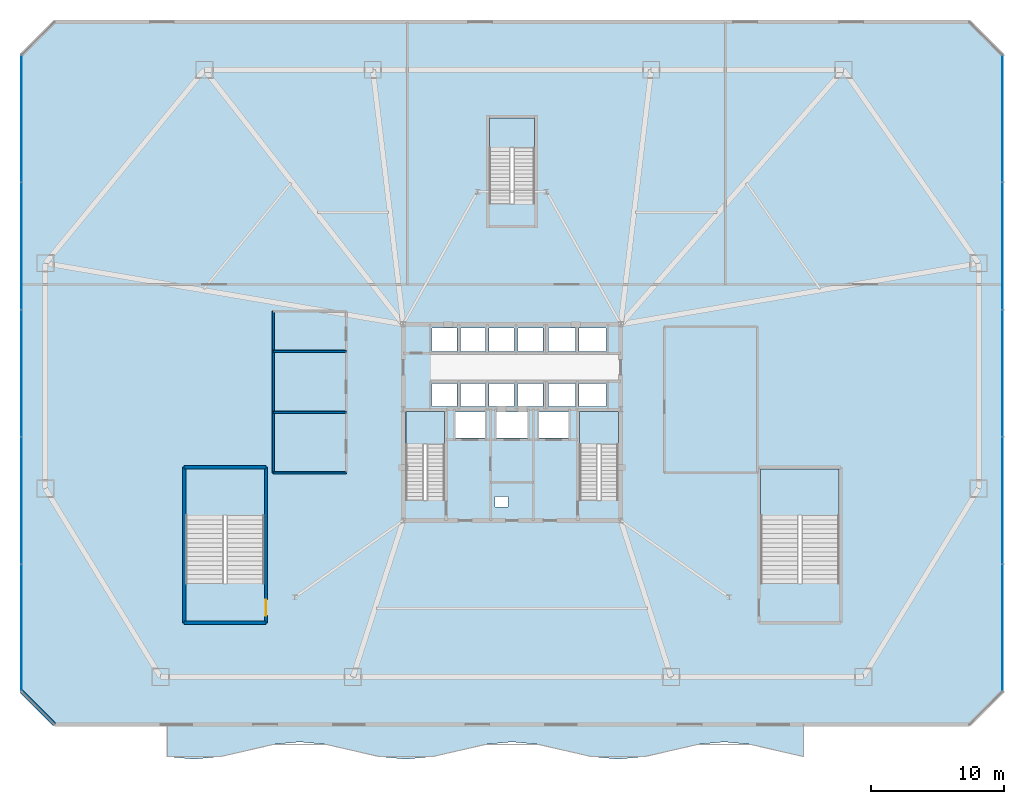
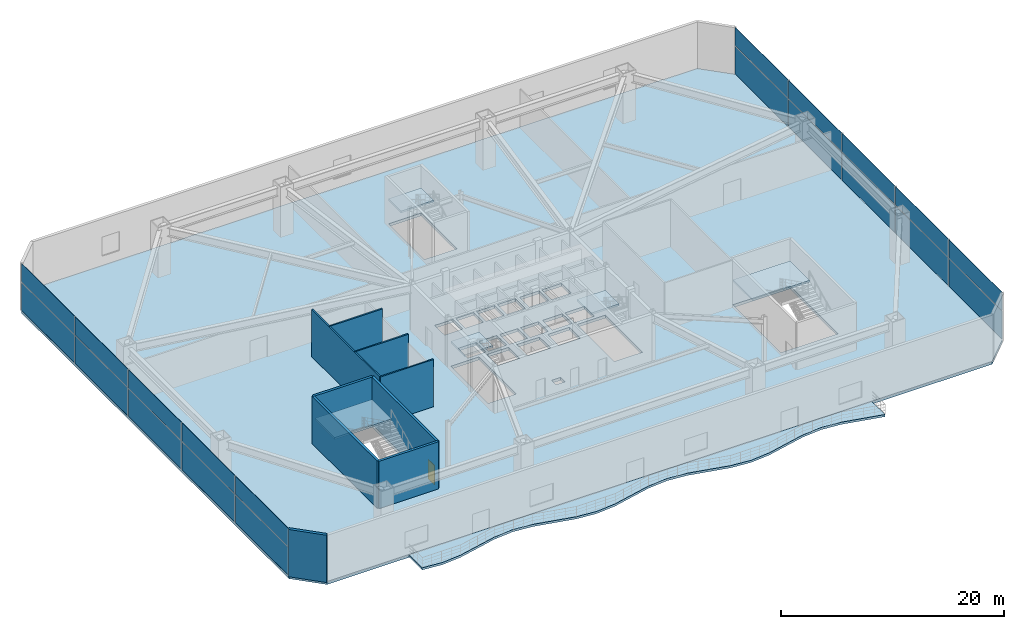
# One storey, part 12 of 20: 20 plates, 9 walls, 7 slabs, 1 door, 1 opening, 7 elements without a shape of their own.
"""IFC4 building model written with IfcOpenShell, lengths in metres."""

from ifc_helpers import new_model, si_unit, direction, frame, frame_2d, origin, origin_2d, place, context, subcontext, project, spatial, polyline, rectangle, outline, extrude, source, transform, mapped, material, layer, layer_set, type_object, type_shapes, element, fill, aggregate, save


model = new_model("IFC4")

# Units and contexts
model_context = context("Model", 3, precision=1e-05, world=origin(), true_north=direction((0.0, 1.0)))
body_context = subcontext(model_context, "Body", "Model", "MODEL_VIEW")
ifc_project = project(units=[si_unit("LENGTHUNIT", "METRE"), si_unit("AREAUNIT", "SQUARE_METRE"), si_unit("VOLUMEUNIT", "CUBIC_METRE"), si_unit("PLANEANGLEUNIT", "RADIAN"), si_unit("MASSUNIT", "GRAM", prefix="KILO")], contexts=[model_context])

# Site, building, storey
site_placement = place(None, origin())
site = spatial("IfcSite", under=ifc_project, at=site_placement, CompositionType="ELEMENT")
building_placement = place(site_placement, origin())
building = spatial("IfcBuilding", under=site, at=building_placement, Name="Varakhsha Concourse Tower", CompositionType="ELEMENT")
storey_placement = place(building_placement, frame((0.0, 0.0, 16.5)))
storey = spatial("IfcBuildingStorey", under=building, at=storey_placement, Name="L04", CompositionType="ELEMENT", Elevation=16.5)

# Slab
ifc_material_1 = material(Name="Concrete fc 45 MPa", Category="concrete")
ifc_layer_1 = layer(ifc_material_1, 0.320068359375, Name="SL-FLR-320")
ifc_layer_set_1 = layer_set([ifc_layer_1], Name="Concrete fc 45 MPa")
slab_type_1 = type_object("IfcSlabType", Name="SL-FLR-320", PredefinedType="FLOOR", material=ifc_layer_set_1)
slab_1_placement = place(storey_placement, frame((0.0, 0.0, -0.320068359375)))
element("IfcSlab", 1, at=slab_1_placement, inside=storey, type_object=slab_type_1, Name="L04 Composite Structural Slab", PredefinedType="FLOOR", context=body_context, shape_type="SweptSolid", body=[
    extrude(outline(polyline([(5.5, 1.0), (74.5, 1.0), (77.0, 3.5), (77.0, 51.5), (74.5, 54.0), (5.5, 54.0), (3.0, 51.5), (3.0, 3.5), (5.5, 1.0)]), holes=[polyline([(34.919921875, 17.93994140625), (34.919921875, 24.6298828125), (32.0, 24.6298828125), (32.0, 17.93994140625), (34.919921875, 17.93994140625)]), polyline([(48.02001953125, 17.93994140625), (48.02001953125, 24.6298828125), (45.10009765625, 24.6298828125), (45.10009765625, 17.93994140625), (48.02001953125, 17.93994140625)]), polyline([(21.320068359375, 11.659912109375), (21.320068359375, 20.300048828125), (15.39990234375, 20.300048828125), (15.39990234375, 11.659912109375), (21.320068359375, 11.659912109375)]), polyline([(64.679931640625, 11.659912109375), (64.679931640625, 20.300048828125), (58.760009765625, 20.300048828125), (58.760009765625, 11.659912109375), (64.679931640625, 11.659912109375)]), polyline([(41.699951171875, 40.300048828125), (41.699951171875, 46.75), (38.300048828125, 46.75), (38.300048828125, 40.300048828125), (41.699951171875, 40.300048828125)]), polyline([(33.9599609375, 29.159912109375), (35.840087890625, 29.159912109375), (35.840087890625, 30.89990234375), (33.9599609375, 30.89990234375), (33.9599609375, 29.159912109375)]), polyline([(36.1201171875, 29.159912109375), (38.0, 29.159912109375), (38.0, 30.89990234375), (36.1201171875, 30.89990234375), (36.1201171875, 29.159912109375)]), polyline([(38.280029296875, 29.159912109375), (40.159912109375, 29.159912109375), (40.159912109375, 30.89990234375), (38.280029296875, 30.89990234375), (38.280029296875, 29.159912109375)]), polyline([(40.43994140625, 29.159912109375), (42.320068359375, 29.159912109375), (42.320068359375, 30.89990234375), (40.43994140625, 30.89990234375), (40.43994140625, 29.159912109375)]), polyline([(33.9599609375, 25.0), (35.840087890625, 25.0), (35.840087890625, 26.739990234375), (33.9599609375, 26.739990234375), (33.9599609375, 25.0)]), polyline([(36.1201171875, 25.0), (38.0, 25.0), (38.0, 26.739990234375), (36.1201171875, 26.739990234375), (36.1201171875, 25.0)]), polyline([(38.280029296875, 25.0), (40.159912109375, 25.0), (40.159912109375, 26.739990234375), (38.280029296875, 26.739990234375), (38.280029296875, 25.0)]), polyline([(40.43994140625, 25.0), (42.320068359375, 25.0), (42.320068359375, 26.739990234375), (40.43994140625, 26.739990234375), (40.43994140625, 25.0)]), polyline([(42.739990234375, 29.159912109375), (44.780029296875, 29.159912109375), (44.780029296875, 30.89990234375), (42.739990234375, 30.89990234375), (42.739990234375, 29.159912109375)]), polyline([(45.06005859375, 29.159912109375), (47.10009765625, 29.159912109375), (47.10009765625, 30.89990234375), (45.06005859375, 30.89990234375), (45.06005859375, 29.159912109375)]), polyline([(42.739990234375, 25.0), (44.780029296875, 25.0), (44.780029296875, 26.739990234375), (42.739990234375, 26.739990234375), (42.739990234375, 25.0)]), polyline([(45.06005859375, 25.0), (47.10009765625, 25.0), (47.10009765625, 26.739990234375), (45.06005859375, 26.739990234375), (45.06005859375, 25.0)]), polyline([(35.7099609375, 22.639892578125), (37.989990234375, 22.639892578125), (37.989990234375, 24.60009765625), (35.7099609375, 24.60009765625), (35.7099609375, 22.639892578125)]), polyline([(42.010009765625, 22.639892578125), (44.2900390625, 22.639892578125), (44.2900390625, 24.60009765625), (42.010009765625, 24.60009765625), (42.010009765625, 22.639892578125)]), polyline([(38.81005859375, 22.639892578125), (41.18994140625, 22.639892578125), (41.18994140625, 24.60009765625), (38.81005859375, 24.60009765625), (38.81005859375, 22.639892578125)]), polyline([(38.719970703125, 17.39990234375), (39.679931640625, 17.39990234375), (39.679931640625, 18.199951171875), (38.719970703125, 18.199951171875), (38.719970703125, 17.39990234375)])]), origin(), (0.0, 0.0, 1.0), 0.320068359375),
])

# Stair, slab
stair_type_1 = type_object("IfcStairType", Name="ST-DOGLEG-1360", PredefinedType="HALF_TURN_STAIR", material=ifc_material_1)
stair_1_placement = place(storey_placement, origin())
stair_1 = element("IfcStair", 2, at=stair_1_placement, inside=storey, type_object=stair_type_1, Name="L04 Protected Exit Stair ST1", PredefinedType="HALF_TURN_STAIR")
ifc_layer_2 = layer(ifc_material_1, 0.199951171875, Name="SL-LAND-200")
ifc_layer_set_2 = layer_set([ifc_layer_2], Name="Concrete fc 45 MPa")
slab_type_2 = type_object("IfcSlabType", Name="SL-LAND-200", PredefinedType="LANDING", material=ifc_layer_set_2)
slab_2_placement = place(storey_placement, frame((0.0, 0.0, 2.550048828125)))
slab_2 = element("IfcSlab", 3, at=slab_2_placement, type_object=slab_type_2, Name="ST1 landing 1", PredefinedType="LANDING", context=body_context, shape_type="SweptSolid", body=[
    extrude(outline(polyline([(34.919921875, 22.139892578125), (34.919921875, 24.6298828125), (32.0, 24.6298828125), (32.0, 22.139892578125), (34.919921875, 22.139892578125)])), origin(), (0.0, 0.0, 1.0), 0.199951171875),
])
aggregate(stair_1, [slab_2])

stair_2_placement = place(storey_placement, origin())
stair_2 = element("IfcStair", 4, at=stair_2_placement, inside=storey, type_object=stair_type_1, Name="L04 Protected Exit Stair ST2", PredefinedType="HALF_TURN_STAIR")
slab_3_placement = place(storey_placement, frame((0.0, 0.0, 2.550048828125)))
slab_3 = element("IfcSlab", 5, at=slab_3_placement, type_object=slab_type_2, Name="ST2 landing 1", PredefinedType="LANDING", context=body_context, shape_type="SweptSolid", body=[
    extrude(outline(polyline([(48.02001953125, 22.139892578125), (48.02001953125, 24.6298828125), (45.10009765625, 24.6298828125), (45.10009765625, 22.139892578125), (48.02001953125, 22.139892578125)])), origin(), (0.0, 0.0, 1.0), 0.199951171875),
])
aggregate(stair_2, [slab_3])

stair_type_2 = type_object("IfcStairType", Name="ST-DOGLEG-2860", PredefinedType="HALF_TURN_STAIR", material=ifc_material_1)
stair_3_placement = place(storey_placement, origin())
stair_3 = element("IfcStair", 6, at=stair_3_placement, inside=storey, type_object=stair_type_2, Name="L04 Protected Exit Stair ST3", PredefinedType="HALF_TURN_STAIR")
slab_4_placement = place(storey_placement, frame((0.0, 0.0, 2.550048828125)))
slab_4 = element("IfcSlab", 7, at=slab_4_placement, type_object=slab_type_2, Name="ST3 landing 1", PredefinedType="LANDING", context=body_context, shape_type="SweptSolid", body=[
    extrude(outline(polyline([(21.320068359375, 16.760009765625), (21.320068359375, 20.300048828125), (15.39990234375, 20.300048828125), (15.39990234375, 16.760009765625), (21.320068359375, 16.760009765625)])), origin(), (0.0, 0.0, 1.0), 0.199951171875),
])
aggregate(stair_3, [slab_4])

stair_4_placement = place(storey_placement, origin())
stair_4 = element("IfcStair", 8, at=stair_4_placement, inside=storey, type_object=stair_type_2, Name="L04 Protected Exit Stair ST4", PredefinedType="HALF_TURN_STAIR")
slab_5_placement = place(storey_placement, frame((0.0, 0.0, 2.550048828125)))
slab_5 = element("IfcSlab", 9, at=slab_5_placement, type_object=slab_type_2, Name="ST4 landing 1", PredefinedType="LANDING", context=body_context, shape_type="SweptSolid", body=[
    extrude(outline(polyline([(64.679931640625, 16.760009765625), (64.679931640625, 20.300048828125), (58.760009765625, 20.300048828125), (58.760009765625, 16.760009765625), (64.679931640625, 16.760009765625)])), origin(), (0.0, 0.0, 1.0), 0.199951171875),
])
aggregate(stair_4, [slab_5])

stair_type_3 = type_object("IfcStairType", Name="ST-DOGLEG-1600", PredefinedType="HALF_TURN_STAIR", material=ifc_material_1)
stair_5_placement = place(storey_placement, origin())
stair_5 = element("IfcStair", 10, at=stair_5_placement, inside=storey, type_object=stair_type_3, Name="L04 Protected Exit Stair ST5", PredefinedType="HALF_TURN_STAIR")
slab_6_placement = place(storey_placement, frame((0.0, 0.0, 2.550048828125)))
slab_6 = element("IfcSlab", 11, at=slab_6_placement, type_object=slab_type_2, Name="ST5 landing 1", PredefinedType="LANDING", context=body_context, shape_type="SweptSolid", body=[
    extrude(outline(polyline([(41.699951171875, 44.5), (41.699951171875, 46.75), (38.300048828125, 46.75), (38.300048828125, 44.5), (41.699951171875, 44.5)])), origin(), (0.0, 0.0, 1.0), 0.199951171875),
])
aggregate(stair_5, [slab_6])

# Slab
ifc_layer_3 = layer(ifc_material_1, 0.239990234375, Name="SL-TERR-240")
ifc_layer_set_3 = layer_set([ifc_layer_3], Name="Concrete fc 45 MPa")
slab_type_3 = type_object("IfcSlabType", Name="SL-TERR-240", PredefinedType="FLOOR", material=ifc_layer_set_3)
slab_7_placement = place(storey_placement, frame((0.0, 0.0, -0.239990234375)))
element("IfcSlab", 12, at=slab_7_placement, inside=storey, type_object=slab_type_3, Name="L04 Sinusoidal Wave Podium Terrace", PredefinedType="FLOOR", context=body_context, shape_type="SweptSolid", body=[
    extrude(outline(polyline([(14.0, 1.0), (62.0, 1.0), (62.0, -1.40966796875), (60.0, -0.949951171875), (58.0, -0.490478515625), (56.0, -0.300048828125), (54.0, -0.490478515625), (52.0, -0.949951171875), (50.0, -1.40966796875), (48.0, -1.60009765625), (46.0, -1.40966796875), (44.0, -0.949951171875), (42.0, -0.490478515625), (40.0, -0.300048828125), (38.0, -0.490478515625), (36.0, -0.949951171875), (34.0, -1.40966796875), (32.0, -1.60009765625), (30.0, -1.40966796875), (28.0, -0.949951171875), (26.0, -0.490478515625), (24.0, -0.300048828125), (22.0, -0.490478515625), (20.0, -0.949951171875), (18.0, -1.40966796875), (16.0, -1.60009765625), (14.0, -1.40966796875), (14.0, 1.0)])), origin(), (0.0, 0.0, 1.0), 0.239990234375),
])

# Curtain wall, plates
ifc_material_2 = material(Name="Anodised Bronze Architectural Aluminium AA 6063-T6", Category="aluminium")
ifc_layer_4 = layer(ifc_material_2, 0.239990234375, Name="CW-SYS-01")
ifc_layer_set_4 = layer_set([ifc_layer_4], Name="Anodised Bronze Architectural Aluminium AA 6063-T6")
curtain_wall_type = type_object("IfcCurtainWallType", Name="CW-SYS-01", PredefinedType="NOTDEFINED", material=ifc_layer_set_4)
curtain_wall_1_placement = place(storey_placement, origin())
curtain_wall_1 = element("IfcCurtainWall", 13, at=curtain_wall_1_placement, inside=storey, type_object=curtain_wall_type, Name="L04 Podium Curtain Wall 03", PredefinedType="NOTDEFINED")
ifc_material_3 = material(Name="Low-E Triple Insulating Glass IGU 44 mm", Category="glass")
ifc_layer_5 = layer(ifc_material_3, 0.0439453125, Name="CWP-IGU-44")
ifc_layer_set_5 = layer_set([ifc_layer_5], Name="Low-E Triple Insulating Glass IGU 44 mm")
plate_type_1 = type_object("IfcPlateType", Name="CWP-IGU-44", PredefinedType="CURTAIN_PANEL", material=ifc_layer_set_5)
shared_shape_1 = source(origin(), body_context, "Body", "SweptSolid", [
    extrude(rectangle(XDim=9.52099609375, YDim=0.0439453125, at=origin_2d()), origin(), (0.0, 0.0, 1.0), 3.031005859375),
])
type_shapes(plate_type_1, [shared_shape_1])
plate_1_placement = place(storey_placement, frame((77.0, 8.300048828125, 0.03466796875), z_axis=(0.0, 0.0, 1.0), x_axis=(0.0, 1.0, 0.0)))
plate_1 = element("IfcPlate", 14, at=plate_1_placement, type_object=plate_type_1, Name="CW-POD-L04-03 Panel 00-00", PredefinedType="CURTAIN_PANEL", context=body_context, shape_type="MappedRepresentation", body=[
    mapped(shared_shape_1, transform((0.0, 0.0, 0.0), scale=1.0)),
])
plate_2_placement = place(storey_placement, frame((77.0, 17.89990234375, 0.03466796875), z_axis=(0.0, 0.0, 1.0), x_axis=(0.0, 1.0, 0.0)))
plate_2 = element("IfcPlate", 15, at=plate_2_placement, type_object=plate_type_1, Name="CW-POD-L04-03 Panel 01-00", PredefinedType="CURTAIN_PANEL", context=body_context, shape_type="MappedRepresentation", body=[
    mapped(shared_shape_1, transform((0.0, 0.0, 0.0), scale=1.0)),
])
plate_3_placement = place(storey_placement, frame((77.0, 27.5, 0.03466796875), z_axis=(0.0, 0.0, 1.0), x_axis=(0.0, 1.0, 0.0)))
plate_3 = element("IfcPlate", 16, at=plate_3_placement, type_object=plate_type_1, Name="CW-POD-L04-03 Panel 02-00", PredefinedType="CURTAIN_PANEL", context=body_context, shape_type="MappedRepresentation", body=[
    mapped(shared_shape_1, transform((0.0, 0.0, 0.0), scale=1.0)),
])
plate_4_placement = place(storey_placement, frame((77.0, 37.10009765625, 0.03466796875), z_axis=(0.0, 0.0, 1.0), x_axis=(0.0, 1.0, 0.0)))
plate_4 = element("IfcPlate", 17, at=plate_4_placement, type_object=plate_type_1, Name="CW-POD-L04-03 Panel 03-00", PredefinedType="CURTAIN_PANEL", context=body_context, shape_type="MappedRepresentation", body=[
    mapped(shared_shape_1, transform((0.0, 0.0, 0.0), scale=1.0)),
])
plate_5_placement = place(storey_placement, frame((77.0, 46.699951171875, 0.03466796875), z_axis=(0.0, 0.0, 1.0), x_axis=(0.0, 1.0, 0.0)))
plate_5 = element("IfcPlate", 18, at=plate_5_placement, type_object=plate_type_1, Name="CW-POD-L04-03 Panel 04-00", PredefinedType="CURTAIN_PANEL", context=body_context, shape_type="MappedRepresentation", body=[
    mapped(shared_shape_1, transform((0.0, 0.0, 0.0), scale=1.0)),
])

curtain_wall_2_placement = place(storey_placement, origin())
curtain_wall_2 = element("IfcCurtainWall", 19, at=curtain_wall_2_placement, inside=storey, type_object=curtain_wall_type, Name="L04 Podium Curtain Wall 07", PredefinedType="NOTDEFINED")
plate_6_placement = place(storey_placement, frame((3.0, 46.699951171875, 0.03466796875), z_axis=(0.0, 0.0, 1.0), x_axis=(0.0, -1.0, 0.0)))
plate_6 = element("IfcPlate", 20, at=plate_6_placement, type_object=plate_type_1, Name="CW-POD-L04-07 Panel 00-00", PredefinedType="CURTAIN_PANEL", context=body_context, shape_type="MappedRepresentation", body=[
    mapped(shared_shape_1, transform((0.0, 0.0, 0.0), scale=1.0)),
])
plate_7_placement = place(storey_placement, frame((3.0, 37.10009765625, 0.03466796875), z_axis=(0.0, 0.0, 1.0), x_axis=(0.0, -1.0, 0.0)))
plate_7 = element("IfcPlate", 21, at=plate_7_placement, type_object=plate_type_1, Name="CW-POD-L04-07 Panel 01-00", PredefinedType="CURTAIN_PANEL", context=body_context, shape_type="MappedRepresentation", body=[
    mapped(shared_shape_1, transform((0.0, 0.0, 0.0), scale=1.0)),
])
plate_8_placement = place(storey_placement, frame((3.0, 27.5, 0.03466796875), z_axis=(0.0, 0.0, 1.0), x_axis=(0.0, -1.0, 0.0)))
plate_8 = element("IfcPlate", 22, at=plate_8_placement, type_object=plate_type_1, Name="CW-POD-L04-07 Panel 02-00", PredefinedType="CURTAIN_PANEL", context=body_context, shape_type="MappedRepresentation", body=[
    mapped(shared_shape_1, transform((0.0, 0.0, 0.0), scale=1.0)),
])
plate_9_placement = place(storey_placement, frame((3.0, 17.89990234375, 0.03466796875), z_axis=(0.0, 0.0, 1.0), x_axis=(0.0, -1.0, 0.0)))
plate_9 = element("IfcPlate", 23, at=plate_9_placement, type_object=plate_type_1, Name="CW-POD-L04-07 Panel 03-00", PredefinedType="CURTAIN_PANEL", context=body_context, shape_type="MappedRepresentation", body=[
    mapped(shared_shape_1, transform((0.0, 0.0, 0.0), scale=1.0)),
])
plate_10_placement = place(storey_placement, frame((3.0, 8.300048828125, 0.03466796875), z_axis=(0.0, 0.0, 1.0), x_axis=(0.0, -1.0, 0.0)))
plate_10 = element("IfcPlate", 24, at=plate_10_placement, type_object=plate_type_1, Name="CW-POD-L04-07 Panel 04-00", PredefinedType="CURTAIN_PANEL", context=body_context, shape_type="MappedRepresentation", body=[
    mapped(shared_shape_1, transform((0.0, 0.0, 0.0), scale=1.0)),
])

# Plate
ifc_material_4 = material(Name="Glazed Turquoise-Bronze Ceramic Spandrel Panel 38 mm", Category="ceramic")
ifc_layer_6 = layer(ifc_material_4, 0.0380859375, Name="CWP-SPN-38")
ifc_layer_set_6 = layer_set([ifc_layer_6], Name="Glazed Turquoise-Bronze Ceramic Spandrel Panel 38 mm")
plate_type_2 = type_object("IfcPlateType", Name="CWP-SPN-38", PredefinedType="USERDEFINED", material=ifc_layer_set_6)
shared_shape_2 = source(origin(), body_context, "Body", "SweptSolid", [
    extrude(rectangle(XDim=9.52099609375, YDim=0.0380859375, at=origin_2d()), origin(), (0.0, 0.0, 1.0), 2.010986328125),
])
type_shapes(plate_type_2, [shared_shape_2])
plate_11_placement = place(storey_placement, frame((77.0, 8.300048828125, 3.13427734375), z_axis=(0.0, 0.0, 1.0), x_axis=(0.0, 1.0, 0.0)))
plate_11 = element("IfcPlate", 25, at=plate_11_placement, type_object=plate_type_2, Name="CW-POD-L04-03 Panel 00-01", ObjectType="SPANDREL", PredefinedType="USERDEFINED", context=body_context, shape_type="MappedRepresentation", body=[
    mapped(shared_shape_2, transform((0.0, 0.0, 0.0), scale=1.0)),
])

plate_12_placement = place(storey_placement, frame((77.0, 17.89990234375, 3.13427734375), z_axis=(0.0, 0.0, 1.0), x_axis=(0.0, 1.0, 0.0)))
plate_12 = element("IfcPlate", 26, at=plate_12_placement, type_object=plate_type_2, Name="CW-POD-L04-03 Panel 01-01", ObjectType="SPANDREL", PredefinedType="USERDEFINED", context=body_context, shape_type="MappedRepresentation", body=[
    mapped(shared_shape_2, transform((0.0, 0.0, 0.0), scale=1.0)),
])

plate_13_placement = place(storey_placement, frame((77.0, 27.5, 3.13427734375), z_axis=(0.0, 0.0, 1.0), x_axis=(0.0, 1.0, 0.0)))
plate_13 = element("IfcPlate", 27, at=plate_13_placement, type_object=plate_type_2, Name="CW-POD-L04-03 Panel 02-01", ObjectType="SPANDREL", PredefinedType="USERDEFINED", context=body_context, shape_type="MappedRepresentation", body=[
    mapped(shared_shape_2, transform((0.0, 0.0, 0.0), scale=1.0)),
])

plate_14_placement = place(storey_placement, frame((77.0, 37.10009765625, 3.13427734375), z_axis=(0.0, 0.0, 1.0), x_axis=(0.0, 1.0, 0.0)))
plate_14 = element("IfcPlate", 28, at=plate_14_placement, type_object=plate_type_2, Name="CW-POD-L04-03 Panel 03-01", ObjectType="SPANDREL", PredefinedType="USERDEFINED", context=body_context, shape_type="MappedRepresentation", body=[
    mapped(shared_shape_2, transform((0.0, 0.0, 0.0), scale=1.0)),
])

plate_15_placement = place(storey_placement, frame((77.0, 46.699951171875, 3.13427734375), z_axis=(0.0, 0.0, 1.0), x_axis=(0.0, 1.0, 0.0)))
plate_15 = element("IfcPlate", 29, at=plate_15_placement, type_object=plate_type_2, Name="CW-POD-L04-03 Panel 04-01", ObjectType="SPANDREL", PredefinedType="USERDEFINED", context=body_context, shape_type="MappedRepresentation", body=[
    mapped(shared_shape_2, transform((0.0, 0.0, 0.0), scale=1.0)),
])

aggregate(curtain_wall_1, [plate_1, plate_11, plate_2, plate_12, plate_3, plate_13, plate_4, plate_14, plate_5, plate_15])

plate_16_placement = place(storey_placement, frame((3.0, 46.699951171875, 3.13427734375), z_axis=(0.0, 0.0, 1.0), x_axis=(0.0, -1.0, 0.0)))
plate_16 = element("IfcPlate", 30, at=plate_16_placement, type_object=plate_type_2, Name="CW-POD-L04-07 Panel 00-01", ObjectType="SPANDREL", PredefinedType="USERDEFINED", context=body_context, shape_type="MappedRepresentation", body=[
    mapped(shared_shape_2, transform((0.0, 0.0, 0.0), scale=1.0)),
])

plate_17_placement = place(storey_placement, frame((3.0, 37.10009765625, 3.13427734375), z_axis=(0.0, 0.0, 1.0), x_axis=(0.0, -1.0, 0.0)))
plate_17 = element("IfcPlate", 31, at=plate_17_placement, type_object=plate_type_2, Name="CW-POD-L04-07 Panel 01-01", ObjectType="SPANDREL", PredefinedType="USERDEFINED", context=body_context, shape_type="MappedRepresentation", body=[
    mapped(shared_shape_2, transform((0.0, 0.0, 0.0), scale=1.0)),
])

plate_18_placement = place(storey_placement, frame((3.0, 27.5, 3.13427734375), z_axis=(0.0, 0.0, 1.0), x_axis=(0.0, -1.0, 0.0)))
plate_18 = element("IfcPlate", 32, at=plate_18_placement, type_object=plate_type_2, Name="CW-POD-L04-07 Panel 02-01", ObjectType="SPANDREL", PredefinedType="USERDEFINED", context=body_context, shape_type="MappedRepresentation", body=[
    mapped(shared_shape_2, transform((0.0, 0.0, 0.0), scale=1.0)),
])

plate_19_placement = place(storey_placement, frame((3.0, 17.89990234375, 3.13427734375), z_axis=(0.0, 0.0, 1.0), x_axis=(0.0, -1.0, 0.0)))
plate_19 = element("IfcPlate", 33, at=plate_19_placement, type_object=plate_type_2, Name="CW-POD-L04-07 Panel 03-01", ObjectType="SPANDREL", PredefinedType="USERDEFINED", context=body_context, shape_type="MappedRepresentation", body=[
    mapped(shared_shape_2, transform((0.0, 0.0, 0.0), scale=1.0)),
])

plate_20_placement = place(storey_placement, frame((3.0, 8.300048828125, 3.13427734375), z_axis=(0.0, 0.0, 1.0), x_axis=(0.0, -1.0, 0.0)))
plate_20 = element("IfcPlate", 34, at=plate_20_placement, type_object=plate_type_2, Name="CW-POD-L04-07 Panel 04-01", ObjectType="SPANDREL", PredefinedType="USERDEFINED", context=body_context, shape_type="MappedRepresentation", body=[
    mapped(shared_shape_2, transform((0.0, 0.0, 0.0), scale=1.0)),
])

aggregate(curtain_wall_2, [plate_6, plate_16, plate_7, plate_17, plate_8, plate_18, plate_9, plate_19, plate_10, plate_20])

# Walls
ifc_layer_7 = layer(ifc_material_1, 0.300048828125, Name="WL-EXT-POD-300")
ifc_layer_set_7 = layer_set([ifc_layer_7], Name="Concrete fc 45 MPa")
wall_type_1 = type_object("IfcWallType", Name="WL-EXT-POD-300", PredefinedType="STANDARD", material=ifc_layer_set_7)
wall_1_placement = place(storey_placement, frame((3.0, 3.5, 0.0), z_axis=(0.0, 0.0, 1.0), x_axis=(0.707106781187, -0.707106781187, 0.0)))
element("IfcWall", 35, at=wall_1_placement, inside=storey, type_object=wall_type_1, Name="L04 Podium Chamfer Wall 7", PredefinedType="STANDARD", context=body_context, shape_type="SweptSolid", body=[
    extrude(rectangle(XDim=3.53564453125, YDim=0.300048828125, at=frame_2d((1.767822265625, 0.0))), origin(), (0.0, 0.0, 1.0), 5.179931640625),
])
ifc_material_5 = material(Name="Fire-Rated Type X Gypsum Partition Assembly", Category="gypsum")
ifc_layer_8 = layer(ifc_material_5, 0.14990234375, Name="WL-PART-150")
ifc_layer_set_8 = layer_set([ifc_layer_8], Name="Fire-Rated Type X Gypsum Partition Assembly")
wall_type_2 = type_object("IfcWallType", Name="WL-PART-150", PredefinedType="PARTITIONING", material=ifc_layer_set_8)
wall_2_placement = place(storey_placement, frame((22.0, 20.0, 0.0), z_axis=(0.0, 0.0, 1.0), x_axis=(0.0, 1.0, 0.0)))
element("IfcWall", 36, at=wall_2_placement, inside=storey, type_object=wall_type_2, Name="L04 Wall L04W-WCW", PredefinedType="PARTITIONING", context=body_context, shape_type="SweptSolid", body=[
    extrude(rectangle(XDim=12.199951171875, YDim=0.14990234375, at=frame_2d((6.10009765625, 0.0))), origin(), (0.0, 0.0, 1.0), 5.179931640625),
])
for number, where, z_axis, x_axis, name in (
    (37, (22.0, 20.0, 0.0), (0.0, 0.0, 1.0), (1.0, 0.0, 0.0), "L04 Wall L04W-WCS"),
    (38, (22.0, 24.550048828125, 0.0), (0.0, 0.0, 1.0), (1.0, 0.0, 0.0), "L04 Wall L04W-WCD1"),
    (39, (22.0, 29.14990234375, 0.0), (0.0, 0.0, 1.0), (1.0, 0.0, 0.0), "L04 Wall L04W-WCD2"),
):
    element("IfcWall", number, at=place(storey_placement, frame(where, z_axis=z_axis, x_axis=x_axis)), inside=storey, type_object=wall_type_2, Name=name, PredefinedType="PARTITIONING", context=body_context, shape_type="SweptSolid", body=[
        extrude(rectangle(XDim=5.5, YDim=0.14990234375, at=frame_2d((2.75, 0.0))), origin(), (0.0, 0.0, 1.0), 5.179931640625),
    ])
ifc_layer_9 = layer(ifc_material_1, 0.25, Name="WL-STAIR-250")
ifc_layer_set_9 = layer_set([ifc_layer_9], Name="Concrete fc 45 MPa")
wall_type_3 = type_object("IfcWallType", Name="WL-STAIR-250", PredefinedType="SHEAR", material=ifc_layer_set_9)
for number, where, z_axis, x_axis, name in (
    (40, (15.27490234375, 20.425048828125, 0.0), (0.0, 0.0, 1.0), (1.0, 0.0, 0.0), "L04 Wall ST3W-N-L04"),
    (41, (15.27490234375, 8.675048828125, 0.0), (0.0, 0.0, 1.0), (1.0, 0.0, 0.0), "L04 Wall ST3W-S-L04"),
):
    element("IfcWall", number, at=place(storey_placement, frame(where, z_axis=z_axis, x_axis=x_axis)), inside=storey, type_object=wall_type_3, Name=name, PredefinedType="SHEAR", context=body_context, shape_type="SweptSolid", body=[
        extrude(rectangle(XDim=6.170166015625, YDim=0.25, at=frame_2d((3.0849609375, 0.0))), origin(), (0.0, 0.0, 1.0), 5.179931640625),
    ])
wall_3_placement = place(storey_placement, frame((15.27490234375, 8.675048828125, 0.0), z_axis=(0.0, 0.0, 1.0), x_axis=(0.0, 1.0, 0.0)))
element("IfcWall", 42, at=wall_3_placement, inside=storey, type_object=wall_type_3, Name="L04 Wall ST3W-W-L04", PredefinedType="SHEAR", context=body_context, shape_type="SweptSolid", body=[
    extrude(rectangle(XDim=11.75, YDim=0.25, at=frame_2d((5.875, 0.0))), origin(), (0.0, 0.0, 1.0), 5.179931640625),
])

# Wall, opening, door
wall_4_placement = place(storey_placement, frame((21.445068359375, 8.675048828125, 0.0), z_axis=(0.0, 0.0, 1.0), x_axis=(0.0, 1.0, 0.0)))
wall_4 = element("IfcWall", 43, at=wall_4_placement, inside=storey, type_object=wall_type_3, Name="L04 Wall ST3W-E-L04", PredefinedType="SHEAR", context=body_context, shape_type="SweptSolid", body=[
    extrude(rectangle(XDim=11.75, YDim=0.25, at=frame_2d((5.875, 0.0))), origin(), (0.0, 0.0, 1.0), 5.179931640625),
])
opening_placement = place(wall_4_placement, frame((0.550048828125, 0.0, 0.0)))
opening = element("IfcOpeningElement", 44, at=opening_placement, cuts=wall_4, Name="Opening DF-01", PredefinedType="OPENING", context=body_context, shape_type="SweptSolid", body=[
    extrude(rectangle(XDim=1.199951171875, YDim=2.14990234375, at=frame_2d((0.60009765625, 1.074951171875))), frame((0.0, 0.135009765625, 0.0), z_axis=(0.0, -1.0, 0.0), x_axis=(1.0, 0.0, 0.0)), (0.0, 0.0, 1.0), 0.27001953125),
])
ifc_material_6 = material(Name="Hollow Galvanised Steel Fire Door Assembly", Category="steel")
door_type = type_object("IfcDoorType", Name="DR-FD90-1200", OperationType="NOTDEFINED", PredefinedType="DOOR", material=ifc_material_6)
door_placement = place(opening_placement, origin())
door = element("IfcDoor", 45, at=door_placement, inside=storey, type_object=door_type, Name="L04 Stair ST3 Door", OperationType="SINGLE_SWING_LEFT", OverallHeight=2.14990234375, OverallWidth=1.199951171875, PredefinedType="DOOR", context=body_context, shape_type="SweptSolid", body=[
    extrude(rectangle(XDim=1.199951171875, YDim=2.14990234375, at=frame_2d((0.60009765625, 1.074951171875))), frame((0.0, 0.02490234375, 0.0), z_axis=(0.0, -1.0, 0.0), x_axis=(1.0, 0.0, 0.0)), (0.0, 0.0, 1.0), 0.050048828125),
])
fill(opening, door)

save(model, "model.ifc")
